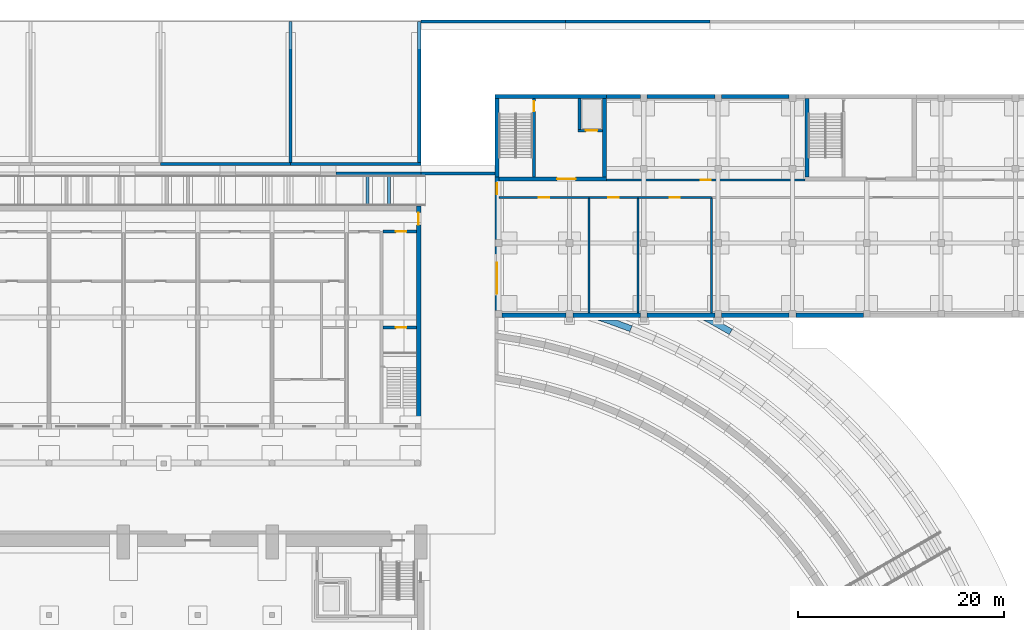
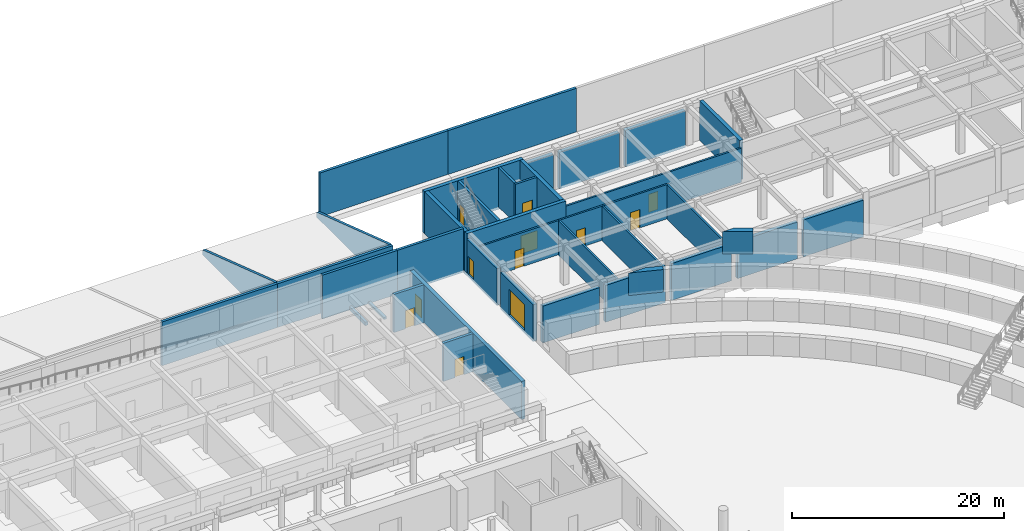
# One storey, part 57 of 73: 40 walls, 12 doors, 12 openings.
"""IFC4 building model written with IfcOpenShell, lengths in metres."""

from ifc_helpers import new_model, si_unit, direction, frame, frame_2d, origin, place, context, subcontext, project, spatial, polyline, rectangle, outline, extrude, material, layer, layer_set, type_object, element, fill, save


model = new_model("IFC4")

# Units and contexts
model_context = context("Model", 3, precision=1e-05, world=origin(), true_north=direction((0.0, 1.0)))
body_context = subcontext(model_context, "Body", "Model", "MODEL_VIEW")
ifc_project = project(units=[si_unit("LENGTHUNIT", "METRE"), si_unit("AREAUNIT", "SQUARE_METRE"), si_unit("VOLUMEUNIT", "CUBIC_METRE"), si_unit("PLANEANGLEUNIT", "RADIAN"), si_unit("MASSUNIT", "GRAM", prefix="KILO")], contexts=[model_context])

# Site, building, storey
site_placement = place(None, origin())
site = spatial("IfcSite", under=ifc_project, at=site_placement, CompositionType="ELEMENT")
building_placement = place(site_placement, origin())
building = spatial("IfcBuilding", under=site, at=building_placement, Name="Alderwick Market Hall", CompositionType="ELEMENT")
storey_placement = place(building_placement, origin())
storey = spatial("IfcBuildingStorey", under=building, at=storey_placement, Name="LG", CompositionType="ELEMENT", Elevation=0.0)

# Wall, opening, door
ifc_material_1 = material(Name="Concrete 5000 psi (f'c 35 MPa)", Category="concrete")
ifc_layer_1 = layer(ifc_material_1, 0.39990234375)
ifc_layer_set_1 = layer_set([ifc_layer_1], Name="Concrete 5000 psi (f'c 35 MPa)")
wall_type_1 = type_object("IfcWallType", Name="A RC End Wall 400", PredefinedType="SHEAR", material=ifc_layer_set_1)
wall_1_placement = place(storey_placement, frame((151.0, 119.300048828125, 0.0), z_axis=(0.0, 0.0, 1.0), x_axis=(0.0, 1.0, 0.0)))
wall_1 = element("IfcWall", 1, at=wall_1_placement, inside=storey, type_object=wall_type_1, Name="A.N.wall.053", PredefinedType="SHEAR", context=body_context, shape_type="SweptSolid", body=[
    extrude(rectangle(XDim=21.099853515625, YDim=0.39990234375, at=frame_2d((10.5498046875, 0.0))), origin(), (0.0, 0.0, 1.0), 4.39990234375),
])
opening_1_placement = place(wall_1_placement, frame((19.25, 0.0, 0.0)))
opening_1 = element("IfcOpeningElement", 2, at=opening_1_placement, cuts=wall_1, Name="Opening A-D015", PredefinedType="OPENING", context=body_context, shape_type="SweptSolid", body=[
    extrude(rectangle(XDim=1.199951171875, YDim=2.10009765625, at=frame_2d((0.60009765625, 1.050048828125))), frame((0.0, 0.2099609375, 0.0), z_axis=(0.0, -1.0, 0.0), x_axis=(1.0, 0.0, 0.0)), (0.0, 0.0, 1.0), 0.419921875),
])
ifc_material_2 = material(Name="Hollow metal door and frame")
door_type_1 = type_object("IfcDoorType", Name="A Door 1200x2100", OperationType="SINGLE_SWING_LEFT", PredefinedType="DOOR", material=ifc_material_2)
door_1_placement = place(opening_1_placement, origin())
door_1 = element("IfcDoor", 3, at=door_1_placement, inside=storey, type_object=door_type_1, Name="Service corridor exit door", OperationType="SINGLE_SWING_LEFT", OverallHeight=2.10009765625, OverallWidth=1.199951171875, PredefinedType="DOOR", context=body_context, shape_type="SweptSolid", body=[
    extrude(rectangle(XDim=1.199951171875, YDim=2.10009765625, at=frame_2d((0.60009765625, 1.050048828125))), frame((0.0, 0.02490234375, 0.0), z_axis=(0.0, -1.0, 0.0), x_axis=(1.0, 0.0, 0.0)), (0.0, 0.0, 1.0), 0.050048828125),
])
fill(opening_1, door_1)

ifc_layer_2 = layer(ifc_material_1, 0.300048828125)
ifc_layer_set_2 = layer_set([ifc_layer_2], Name="Concrete 5000 psi (f'c 35 MPa)")
wall_type_2 = type_object("IfcWallType", Name="A RC Stair Core Wall 300", PredefinedType="SHEAR", material=ifc_layer_set_2)
wall_2_placement = place(storey_placement, frame((147.550048828125, 128.60009765625, 0.0), z_axis=(0.0, 0.0, 1.0), x_axis=(1.0, 0.0, 0.0)))
wall_2 = element("IfcWall", 4, at=wall_2_placement, inside=storey, type_object=wall_type_2, Name="A.N.wall.017", PredefinedType="SHEAR", context=body_context, shape_type="SweptSolid", body=[
    extrude(rectangle(XDim=3.25, YDim=0.300048828125, at=frame_2d((1.625, 0.0))), origin(), (0.0, 0.0, 1.0), 4.39990234375),
])
opening_2_placement = place(wall_2_placement, frame((1.25, 0.0, 0.0)))
opening_2 = element("IfcOpeningElement", 5, at=opening_2_placement, cuts=wall_2, Name="Opening A-D058", PredefinedType="OPENING", context=body_context, shape_type="SweptSolid", body=[
    extrude(rectangle(XDim=1.0, YDim=2.10009765625, at=frame_2d((0.5, 1.050048828125))), frame((0.0, 0.159912109375, 0.0), z_axis=(0.0, -1.0, 0.0), x_axis=(1.0, 0.0, 0.0)), (0.0, 0.0, 1.0), 0.320068359375),
])
ifc_material_3 = material(Name="Hollow metal fire door and frame")
door_type_2 = type_object("IfcDoorType", Name="A Fire Door 1000x2100", OperationType="SINGLE_SWING_LEFT", PredefinedType="DOOR", material=ifc_material_3)
door_2_placement = place(opening_2_placement, origin())
door_2 = element("IfcDoor", 6, at=door_2_placement, inside=storey, type_object=door_type_2, Name="Roof stair lobby door", OperationType="SINGLE_SWING_RIGHT", OverallHeight=2.10009765625, OverallWidth=1.0, PredefinedType="DOOR", context=body_context, shape_type="SweptSolid", body=[
    extrude(rectangle(XDim=1.0, YDim=2.10009765625, at=frame_2d((0.5, 1.050048828125))), frame((0.0, 0.02490234375, 0.0), z_axis=(0.0, -1.0, 0.0), x_axis=(1.0, 0.0, 0.0)), (0.0, 0.0, 1.0), 0.050048828125),
])
fill(opening_2, door_2)

wall_3_placement = place(storey_placement, frame((147.550048828125, 137.89990234375, 0.0), z_axis=(0.0, 0.0, 1.0), x_axis=(1.0, 0.0, 0.0)))
wall_3 = element("IfcWall", 7, at=wall_3_placement, inside=storey, type_object=wall_type_2, Name="A.N.wall.021", PredefinedType="SHEAR", context=body_context, shape_type="SweptSolid", body=[
    extrude(rectangle(XDim=3.25, YDim=0.300048828125, at=frame_2d((1.625, 0.0))), origin(), (0.0, 0.0, 1.0), 4.39990234375),
])
opening_3_placement = place(wall_3_placement, frame((1.25, 0.0, 0.0)))
opening_3 = element("IfcOpeningElement", 8, at=opening_3_placement, cuts=wall_3, Name="Opening A-D059", PredefinedType="OPENING", context=body_context, shape_type="SweptSolid", body=[
    extrude(rectangle(XDim=1.0, YDim=2.10009765625, at=frame_2d((0.5, 1.050048828125))), frame((0.0, 0.159912109375, 0.0), z_axis=(0.0, -1.0, 0.0), x_axis=(1.0, 0.0, 0.0)), (0.0, 0.0, 1.0), 0.320068359375),
])
door_3_placement = place(opening_3_placement, origin())
door_3 = element("IfcDoor", 9, at=door_3_placement, inside=storey, type_object=door_type_2, Name="Stair lobby corridor door", OperationType="SINGLE_SWING_LEFT", OverallHeight=2.10009765625, OverallWidth=1.0, PredefinedType="DOOR", context=body_context, shape_type="SweptSolid", body=[
    extrude(rectangle(XDim=1.0, YDim=2.10009765625, at=frame_2d((0.5, 1.050048828125))), frame((0.0, 0.02490234375, 0.0), z_axis=(0.0, -1.0, 0.0), x_axis=(1.0, 0.0, 0.0)), (0.0, 0.0, 1.0), 0.050048828125),
])
fill(opening_3, door_3)

# Walls
ifc_layer_3 = layer(ifc_material_1, 0.39990234375)
ifc_layer_set_3 = layer_set([ifc_layer_3], Name="Concrete 5000 psi (f'c 35 MPa)")
wall_type_3 = type_object("IfcWallType", Name="F Base Wall Concrete 5000 psi 400", PredefinedType="SHEAR", material=ifc_layer_set_3)
wall_4_placement = place(storey_placement, frame((165.27490234375, 129.800048828125, -0.300048828125), z_axis=(0.0, 0.0, 1.0), x_axis=(-1.0, 0.0, 0.0)))
element("IfcWall", 10, at=wall_4_placement, inside=storey, type_object=wall_type_3, Name="F.wall.LG.fac.front.01", PredefinedType="SHEAR", context=body_context, shape_type="SweptSolid", body=[
    extrude(rectangle(XDim=6.199951171875, YDim=0.39990234375, at=frame_2d((3.10009765625, 0.0))), origin(), (0.0, 0.0, 1.0), 4.25),
])
for number, where, z_axis, x_axis, name in (
    (11, (172.47509765625, 129.800048828125, -0.300048828125), (0.0, 0.0, 1.0), (-1.0, 0.0, 0.0), "F.wall.LG.fac.front.02"),
    (12, (179.675048828125, 129.800048828125, -0.300048828125), (0.0, 0.0, 1.0), (-1.0, 0.0, 0.0), "F.wall.LG.fac.front.03"),
    (13, (186.875, 129.800048828125, -0.300048828125), (0.0, 0.0, 1.0), (-1.0, 0.0, 0.0), "F.wall.LG.fac.front.04"),
    (14, (194.074951171875, 129.800048828125, -0.300048828125), (0.0, 0.0, 1.0), (-1.0, 0.0, 0.0), "F.wall.LG.fac.front.05"),
):
    element("IfcWall", number, at=place(storey_placement, frame(where, z_axis=z_axis, x_axis=x_axis)), inside=storey, type_object=wall_type_3, Name=name, PredefinedType="SHEAR", context=body_context, shape_type="SweptSolid", body=[
        extrude(rectangle(XDim=6.550048828125, YDim=0.39990234375, at=frame_2d((3.27490234375, 0.0))), origin(), (0.0, 0.0, 1.0), 4.25),
    ])

# Wall, opening, door
wall_5_placement = place(storey_placement, frame((158.60009765625, 130.27490234375, -0.300048828125), z_axis=(0.0, 0.0, 1.0), x_axis=(0.0, 1.0, 0.0)))
wall_5 = element("IfcWall", 15, at=wall_5_placement, inside=storey, type_object=wall_type_3, Name="F.wall.LG.fac.west.01", PredefinedType="SHEAR", context=body_context, shape_type="SweptSolid", body=[
    extrude(rectangle(XDim=6.2001953125, YDim=0.39990234375, at=frame_2d((3.10009765625, 0.0))), origin(), (0.0, 0.0, 1.0), 4.25),
])
opening_4_placement = place(wall_5_placement, frame((1.60009765625, 0.0, 0.300048828125)))
opening_4 = element("IfcOpeningElement", 16, at=opening_4_placement, cuts=wall_5, Name="Opening F-D001", PredefinedType="OPENING", context=body_context, shape_type="SweptSolid", body=[
    extrude(rectangle(XDim=3.0, YDim=3.0, at=frame_2d((1.5, 1.5))), frame((0.0, 0.2099609375, 0.0), z_axis=(0.0, -1.0, 0.0), x_axis=(1.0, 0.0, 0.0)), (0.0, 0.0, 1.0), 0.419921875),
])
ifc_material_4 = material(Name="Galvanised steel", Category="steel")
door_type_3 = type_object("IfcDoorType", Name="F Overhead Door 3000x3000", OperationType="ROLLINGUP", PredefinedType="DOOR", material=ifc_material_4)
door_4_placement = place(opening_4_placement, origin())
door_4 = element("IfcDoor", 17, at=door_4_placement, inside=storey, type_object=door_type_3, Name="F.door.LG.001", OperationType="ROLLINGUP", OverallHeight=3.0, OverallWidth=3.0, PredefinedType="DOOR", context=body_context, shape_type="SweptSolid", body=[
    extrude(rectangle(XDim=3.0, YDim=3.0, at=frame_2d((1.5, 1.5))), frame((0.0, 0.02490234375, 0.0), z_axis=(0.0, -1.0, 0.0), x_axis=(1.0, 0.0, 0.0)), (0.0, 0.0, 1.0), 0.050048828125),
])
fill(opening_4, door_4)

wall_6_placement = place(storey_placement, frame((158.60009765625, 137.125, -0.300048828125), z_axis=(0.0, 0.0, 1.0), x_axis=(0.0, 1.0, 0.0)))
wall_6 = element("IfcWall", 18, at=wall_6_placement, inside=storey, type_object=wall_type_3, Name="F.wall.LG.fac.west.02", PredefinedType="SHEAR", context=body_context, shape_type="SweptSolid", body=[
    extrude(rectangle(XDim=6.074951171875, YDim=0.39990234375, at=frame_2d((3.03759765625, 0.0))), origin(), (0.0, 0.0, 1.0), 4.25),
])
opening_5_placement = place(wall_6_placement, frame((4.375, 0.0, 0.300048828125)))
opening_5 = element("IfcOpeningElement", 19, at=opening_5_placement, cuts=wall_6, Name="Opening F-D002", PredefinedType="OPENING", context=body_context, shape_type="SweptSolid", body=[
    extrude(rectangle(XDim=1.10009765625, YDim=2.10009765625, at=frame_2d((0.550048828125, 1.050048828125))), frame((0.0, 0.2099609375, 0.0), z_axis=(0.0, -1.0, 0.0), x_axis=(1.0, 0.0, 0.0)), (0.0, 0.0, 1.0), 0.419921875),
])
ifc_material_5 = material(Name="Steel, insulated", Category="steel")
door_type_4 = type_object("IfcDoorType", Name="F Exit Door FD60 1100x2100", OperationType="NOTDEFINED", PredefinedType="DOOR", material=ifc_material_5)
door_5_placement = place(opening_5_placement, origin())
door_5 = element("IfcDoor", 20, at=door_5_placement, inside=storey, type_object=door_type_4, Name="F.door.LG.002", OperationType="NOTDEFINED", OverallHeight=2.10009765625, OverallWidth=1.10009765625, PredefinedType="DOOR", context=body_context, shape_type="SweptSolid", body=[
    extrude(rectangle(XDim=1.10009765625, YDim=2.10009765625, at=frame_2d((0.550048828125, 1.050048828125))), frame((0.0, 0.02490234375, 0.0), z_axis=(0.0, -1.0, 0.0), x_axis=(1.0, 0.0, 0.0)), (0.0, 0.0, 1.0), 0.050048828125),
])
fill(opening_5, door_5)

# Walls
wall_7_placement = place(storey_placement, frame((169.199951171875, 151.0, -0.300048828125), z_axis=(0.0, 0.0, 1.0), x_axis=(1.0, 0.0, 0.0)))
element("IfcWall", 21, at=wall_7_placement, inside=storey, type_object=wall_type_3, Name="F.wall.LG.fac.back.02", PredefinedType="SHEAR", context=body_context, shape_type="SweptSolid", body=[
    extrude(rectangle(XDim=3.275146484375, YDim=0.39990234375, at=frame_2d((1.6376953125, 0.0))), origin(), (0.0, 0.0, 1.0), 4.25),
])
for number, where, z_axis, x_axis, name in (
    (22, (173.125, 151.0, -0.300048828125), (0.0, 0.0, 1.0), (1.0, 0.0, 0.0), "F.wall.LG.fac.back.03"),
    (23, (180.324951171875, 151.0, -0.300048828125), (0.0, 0.0, 1.0), (1.0, 0.0, 0.0), "F.wall.LG.fac.back.04"),
):
    element("IfcWall", number, at=place(storey_placement, frame(where, z_axis=z_axis, x_axis=x_axis)), inside=storey, type_object=wall_type_3, Name=name, PredefinedType="SHEAR", context=body_context, shape_type="SweptSolid", body=[
        extrude(rectangle(XDim=6.550048828125, YDim=0.39990234375, at=frame_2d((3.27490234375, 0.0))), origin(), (0.0, 0.0, 1.0), 4.25),
    ])
ifc_layer_4 = layer(ifc_material_1, 0.39990234375)
ifc_layer_set_4 = layer_set([ifc_layer_4], Name="Concrete 5000 psi (f'c 35 MPa)")
wall_type_4 = type_object("IfcWallType", Name="F Core Wall Concrete 5000 psi 400", PredefinedType="SHEAR", material=ifc_layer_set_4)
wall_8_placement = place(storey_placement, frame((158.60009765625, 143.199951171875, -0.300048828125), z_axis=(0.0, 0.0, 1.0), x_axis=(0.0, 1.0, 0.0)))
element("IfcWall", 24, at=wall_8_placement, inside=storey, type_object=wall_type_4, Name="F.wall.LG.fac.west.03", PredefinedType="SHEAR", context=body_context, shape_type="SweptSolid", body=[
    extrude(rectangle(XDim=7.60009765625, YDim=0.39990234375, at=frame_2d((3.800048828125, 0.0))), origin(), (0.0, 0.0, 1.0), 4.85009765625),
])
wall_9_placement = place(storey_placement, frame((158.39990234375, 151.0, -0.300048828125), z_axis=(0.0, 0.0, 1.0), x_axis=(1.0, 0.0, 0.0)))
element("IfcWall", 25, at=wall_9_placement, inside=storey, type_object=wall_type_4, Name="F.wall.LG.fac.back.01", PredefinedType="SHEAR", context=body_context, shape_type="SweptSolid", body=[
    extrude(rectangle(XDim=10.800048828125, YDim=0.39990234375, at=frame_2d((5.39990234375, 0.0))), origin(), (0.0, 0.0, 1.0), 4.85009765625),
])

# Wall, opening, door
wall_10_placement = place(storey_placement, frame((158.39990234375, 143.0, 0.0), z_axis=(0.0, 0.0, 1.0), x_axis=(1.0, 0.0, 0.0)))
wall_10 = element("IfcWall", 26, at=wall_10_placement, inside=storey, type_object=wall_type_4, Name="F.wall.LG.core.A.front.01", PredefinedType="SHEAR", context=body_context, shape_type="SweptSolid", body=[
    extrude(rectangle(XDim=10.800048828125, YDim=0.39990234375, at=frame_2d((5.39990234375, 0.0))), origin(), (0.0, 0.0, 1.0), 4.550048828125),
])
opening_6_placement = place(wall_10_placement, frame((6.0, 0.0, 0.0)))
opening_6 = element("IfcOpeningElement", 27, at=opening_6_placement, cuts=wall_10, Name="Opening F-D017", PredefinedType="OPENING", context=body_context, shape_type="SweptSolid", body=[
    extrude(rectangle(XDim=1.800048828125, YDim=2.10009765625, at=frame_2d((0.89990234375, 1.050048828125))), frame((0.0, 0.2099609375, 0.0), z_axis=(0.0, -1.0, 0.0), x_axis=(1.0, 0.0, 0.0)), (0.0, 0.0, 1.0), 0.419921875),
])
door_type_5 = type_object("IfcDoorType", Name="F Fire Door Pair FD90 1800x2100", OperationType="NOTDEFINED", PredefinedType="DOOR", material=ifc_material_5)
door_6_placement = place(opening_6_placement, origin())
door_6 = element("IfcDoor", 28, at=door_6_placement, inside=storey, type_object=door_type_5, Name="F.door.LG.017", OperationType="NOTDEFINED", OverallHeight=2.10009765625, OverallWidth=1.800048828125, PredefinedType="DOOR", context=body_context, shape_type="SweptSolid", body=[
    extrude(rectangle(XDim=1.800048828125, YDim=2.10009765625, at=frame_2d((0.89990234375, 1.050048828125))), frame((0.0, 0.02490234375, 0.0), z_axis=(0.0, -1.0, 0.0), x_axis=(1.0, 0.0, 0.0)), (0.0, 0.0, 1.0), 0.050048828125),
])
fill(opening_6, door_6)

# Walls
for number, where, z_axis, x_axis, name in (
    (29, (169.0, 143.199951171875, 0.0), (0.0, 0.0, 1.0), (0.0, 1.0, 0.0), "F.wall.LG.core.A.east.01"),
    (30, (188.60009765625, 143.199951171875, 0.0), (0.0, 0.0, 1.0), (0.0, 1.0, 0.0), "F.wall.LG.core.B.west.01"),
):
    element("IfcWall", number, at=place(storey_placement, frame(where, z_axis=z_axis, x_axis=x_axis)), inside=storey, type_object=wall_type_4, Name=name, PredefinedType="SHEAR", context=body_context, shape_type="SweptSolid", body=[
        extrude(rectangle(XDim=7.60009765625, YDim=0.39990234375, at=frame_2d((3.800048828125, 0.0))), origin(), (0.0, 0.0, 1.0), 4.550048828125),
    ])

# Wall, opening, door
ifc_material_6 = material(Name="Gypsum board on steel studs", Category="steel")
ifc_layer_5 = layer(ifc_material_6, 0.199951171875)
ifc_layer_set_5 = layer_set([ifc_layer_5], Name="Gypsum board on steel studs")
wall_type_5 = type_object("IfcWallType", Name="F Fire Partition Wall 200", PredefinedType="PARTITIONING", material=ifc_layer_set_5)
wall_11_placement = place(storey_placement, frame((167.5, 141.199951171875, 0.0), z_axis=(0.0, 0.0, 1.0), x_axis=(1.0, 0.0, 0.0)))
wall_11 = element("IfcWall", 31, at=wall_11_placement, inside=storey, type_object=wall_type_5, Name="F.wall.LG.part.002", PredefinedType="PARTITIONING", context=body_context, shape_type="SweptSolid", body=[
    extrude(rectangle(XDim=4.75, YDim=0.199951171875, at=frame_2d((2.375, 0.0))), origin(), (0.0, 0.0, 1.0), 3.949951171875),
])
opening_7_placement = place(wall_11_placement, frame((1.875, 0.0, 0.0)))
opening_7 = element("IfcOpeningElement", 32, at=opening_7_placement, cuts=wall_11, Name="Opening F-D025", PredefinedType="OPENING", context=body_context, shape_type="SweptSolid", body=[
    extrude(rectangle(XDim=1.0, YDim=2.10009765625, at=frame_2d((0.5, 1.050048828125))), frame((0.0, 0.10986328125, 0.0), z_axis=(0.0, -1.0, 0.0), x_axis=(1.0, 0.0, 0.0)), (0.0, 0.0, 1.0), 0.219970703125),
])
door_type_6 = type_object("IfcDoorType", Name="F Fire Door FD60 1000x2100", OperationType="NOTDEFINED", PredefinedType="DOOR", material=ifc_material_5)
door_7_placement = place(opening_7_placement, origin())
door_7 = element("IfcDoor", 33, at=door_7_placement, inside=storey, type_object=door_type_6, Name="F.door.LG.025", OperationType="NOTDEFINED", OverallHeight=2.10009765625, OverallWidth=1.0, PredefinedType="DOOR", context=body_context, shape_type="SweptSolid", body=[
    extrude(rectangle(XDim=1.0, YDim=2.10009765625, at=frame_2d((0.5, 1.050048828125))), frame((0.0, 0.02490234375, 0.0), z_axis=(0.0, -1.0, 0.0), x_axis=(1.0, 0.0, 0.0)), (0.0, 0.0, 1.0), 0.050048828125),
])
fill(opening_7, door_7)

wall_12_placement = place(storey_placement, frame((172.25, 141.199951171875, 0.0), z_axis=(0.0, 0.0, 1.0), x_axis=(1.0, 0.0, 0.0)))
wall_12 = element("IfcWall", 34, at=wall_12_placement, inside=storey, type_object=wall_type_5, Name="F.wall.LG.part.003", PredefinedType="PARTITIONING", context=body_context, shape_type="SweptSolid", body=[
    extrude(rectangle(XDim=7.10009765625, YDim=0.199951171875, at=frame_2d((3.550048828125, 0.0))), origin(), (0.0, 0.0, 1.0), 3.949951171875),
])
opening_8_placement = place(wall_12_placement, frame((3.050048828125, 0.0, 0.0)))
opening_8 = element("IfcOpeningElement", 35, at=opening_8_placement, cuts=wall_12, Name="Opening F-D026", PredefinedType="OPENING", context=body_context, shape_type="SweptSolid", body=[
    extrude(rectangle(XDim=1.0, YDim=2.10009765625, at=frame_2d((0.5, 1.050048828125))), frame((0.0, 0.10986328125, 0.0), z_axis=(0.0, -1.0, 0.0), x_axis=(1.0, 0.0, 0.0)), (0.0, 0.0, 1.0), 0.219970703125),
])
door_8_placement = place(opening_8_placement, origin())
door_8 = element("IfcDoor", 36, at=door_8_placement, inside=storey, type_object=door_type_6, Name="F.door.LG.026", OperationType="NOTDEFINED", OverallHeight=2.10009765625, OverallWidth=1.0, PredefinedType="DOOR", context=body_context, shape_type="SweptSolid", body=[
    extrude(rectangle(XDim=1.0, YDim=2.10009765625, at=frame_2d((0.5, 1.050048828125))), frame((0.0, 0.02490234375, 0.0), z_axis=(0.0, -1.0, 0.0), x_axis=(1.0, 0.0, 0.0)), (0.0, 0.0, 1.0), 0.050048828125),
])
fill(opening_8, door_8)

wall_13_placement = place(storey_placement, frame((169.199951171875, 142.89990234375, 0.0), z_axis=(0.0, 0.0, 1.0), x_axis=(1.0, 0.0, 0.0)))
wall_13 = element("IfcWall", 37, at=wall_13_placement, inside=storey, type_object=wall_type_5, Name="F.wall.LG.part.006", PredefinedType="PARTITIONING", context=body_context, shape_type="SweptSolid", body=[
    extrude(rectangle(XDim=19.199951171875, YDim=0.199951171875, at=frame_2d((9.60009765625, 0.0))), origin(), (0.0, 0.0, 1.0), 3.949951171875),
])
opening_9_placement = place(wall_13_placement, frame((9.10009765625, 0.0, 0.0)))
opening_9 = element("IfcOpeningElement", 38, at=opening_9_placement, cuts=wall_13, Name="Opening F-D029", PredefinedType="OPENING", context=body_context, shape_type="SweptSolid", body=[
    extrude(rectangle(XDim=1.0, YDim=2.10009765625, at=frame_2d((0.5, 1.050048828125))), frame((0.0, 0.10986328125, 0.0), z_axis=(0.0, -1.0, 0.0), x_axis=(1.0, 0.0, 0.0)), (0.0, 0.0, 1.0), 0.219970703125),
])
door_9_placement = place(opening_9_placement, origin())
door_9 = element("IfcDoor", 39, at=door_9_placement, inside=storey, type_object=door_type_6, Name="F.door.LG.029", OperationType="NOTDEFINED", OverallHeight=2.10009765625, OverallWidth=1.0, PredefinedType="DOOR", context=body_context, shape_type="SweptSolid", body=[
    extrude(rectangle(XDim=1.0, YDim=2.10009765625, at=frame_2d((0.5, 1.050048828125))), frame((0.0, 0.02490234375, 0.0), z_axis=(0.0, -1.0, 0.0), x_axis=(1.0, 0.0, 0.0)), (0.0, 0.0, 1.0), 0.050048828125),
])
fill(opening_9, door_9)

# Walls
for number, where, z_axis, x_axis, name in (
    (40, (167.5, 130.0, 0.0), (0.0, 0.0, 1.0), (0.0, 1.0, 0.0), "F.wall.LG.part.010"),
    (41, (172.25, 130.0, 0.0), (0.0, 0.0, 1.0), (0.0, 1.0, 0.0), "F.wall.LG.part.011"),
    (42, (179.35009765625, 130.0, 0.0), (0.0, 0.0, 1.0), (0.0, 1.0, 0.0), "F.wall.LG.part.012"),
):
    element("IfcWall", number, at=place(storey_placement, frame(where, z_axis=z_axis, x_axis=x_axis)), inside=storey, type_object=wall_type_5, Name=name, PredefinedType="PARTITIONING", context=body_context, shape_type="SweptSolid", body=[
        extrude(rectangle(XDim=11.199951171875, YDim=0.199951171875, at=frame_2d((5.60009765625, 0.0))), origin(), (0.0, 0.0, 1.0), 3.949951171875),
    ])
ifc_layer_6 = layer(ifc_material_1, 0.25)
ifc_layer_set_6 = layer_set([ifc_layer_6], Name="Concrete 5000 psi (f'c 35 MPa)")
wall_type_6 = type_object("IfcWallType", Name="F Lift Shaft Wall Concrete 5000 psi 250", PredefinedType="SHEAR", material=ifc_layer_set_6)
wall_14_placement = place(storey_placement, frame((166.574951171875, 147.550048828125, 0.0), z_axis=(0.0, 0.0, 1.0), x_axis=(0.0, 1.0, 0.0)))
element("IfcWall", 43, at=wall_14_placement, inside=storey, type_object=wall_type_6, Name="F.wall.LG.core.A.shaftw.01", PredefinedType="SHEAR", context=body_context, shape_type="SweptSolid", body=[
    extrude(rectangle(XDim=3.25, YDim=0.25, at=frame_2d((1.625, 0.0))), origin(), (0.0, 0.0, 1.0), 4.550048828125),
])

# Wall, opening, door
wall_15_placement = place(storey_placement, frame((166.449951171875, 147.675048828125, 0.0), z_axis=(0.0, 0.0, 1.0), x_axis=(1.0, 0.0, 0.0)))
wall_15 = element("IfcWall", 44, at=wall_15_placement, inside=storey, type_object=wall_type_6, Name="F.wall.LG.core.A.shaftf.01", PredefinedType="SHEAR", context=body_context, shape_type="SweptSolid", body=[
    extrude(rectangle(XDim=2.35009765625, YDim=0.25, at=frame_2d((1.175048828125, 0.0))), origin(), (0.0, 0.0, 1.0), 4.550048828125),
])
opening_10_placement = place(wall_15_placement, frame((0.75, 0.0, 0.0)))
opening_10 = element("IfcOpeningElement", 45, at=opening_10_placement, cuts=wall_15, Name="Opening F-D018", PredefinedType="OPENING", context=body_context, shape_type="SweptSolid", body=[
    extrude(rectangle(XDim=1.10009765625, YDim=2.10009765625, at=frame_2d((0.550048828125, 1.050048828125))), frame((0.0, 0.135009765625, 0.0), z_axis=(0.0, -1.0, 0.0), x_axis=(1.0, 0.0, 0.0)), (0.0, 0.0, 1.0), 0.27001953125),
])
ifc_material_7 = material(Name="Stainless steel", Category="steel")
door_type_7 = type_object("IfcDoorType", Name="F Lift Landing Door 1100x2100", OperationType="SLIDING_TO_LEFT", PredefinedType="DOOR", material=ifc_material_7)
door_10_placement = place(opening_10_placement, origin())
door_10 = element("IfcDoor", 46, at=door_10_placement, inside=storey, type_object=door_type_7, Name="F.door.LG.018", OperationType="SLIDING_TO_LEFT", OverallHeight=2.10009765625, OverallWidth=1.10009765625, PredefinedType="DOOR", context=body_context, shape_type="SweptSolid", body=[
    extrude(rectangle(XDim=1.10009765625, YDim=2.10009765625, at=frame_2d((0.550048828125, 1.050048828125))), frame((0.0, 0.02490234375, 0.0), z_axis=(0.0, -1.0, 0.0), x_axis=(1.0, 0.0, 0.0)), (0.0, 0.0, 1.0), 0.050048828125),
])
fill(opening_10, door_10)

ifc_layer_7 = layer(ifc_material_6, 0.199951171875)
ifc_layer_set_7 = layer_set([ifc_layer_7], Name="Gypsum board on steel studs")
wall_type_7 = type_object("IfcWallType", Name="F Partition Wall 200", PredefinedType="PARTITIONING", material=ifc_layer_set_7)
wall_16_placement = place(storey_placement, frame((158.800048828125, 141.199951171875, 0.0), z_axis=(0.0, 0.0, 1.0), x_axis=(1.0, 0.0, 0.0)))
wall_16 = element("IfcWall", 47, at=wall_16_placement, inside=storey, type_object=wall_type_7, Name="F.wall.LG.part.001", PredefinedType="PARTITIONING", context=body_context, shape_type="SweptSolid", body=[
    extrude(rectangle(XDim=8.699951171875, YDim=0.199951171875, at=frame_2d((4.35009765625, 0.0))), origin(), (0.0, 0.0, 1.0), 3.949951171875),
])
opening_11_placement = place(wall_16_placement, frame((3.85009765625, 0.0, 0.0)))
opening_11 = element("IfcOpeningElement", 48, at=opening_11_placement, cuts=wall_16, Name="Opening F-D024", PredefinedType="OPENING", context=body_context, shape_type="SweptSolid", body=[
    extrude(rectangle(XDim=1.0, YDim=2.10009765625, at=frame_2d((0.5, 1.050048828125))), frame((0.0, 0.10986328125, 0.0), z_axis=(0.0, -1.0, 0.0), x_axis=(1.0, 0.0, 0.0)), (0.0, 0.0, 1.0), 0.219970703125),
])
door_11_placement = place(opening_11_placement, origin())
door_11 = element("IfcDoor", 49, at=door_11_placement, inside=storey, type_object=door_type_6, Name="F.door.LG.024", OperationType="NOTDEFINED", OverallHeight=2.10009765625, OverallWidth=1.0, PredefinedType="DOOR", context=body_context, shape_type="SweptSolid", body=[
    extrude(rectangle(XDim=1.0, YDim=2.10009765625, at=frame_2d((0.5, 1.050048828125))), frame((0.0, 0.02490234375, 0.0), z_axis=(0.0, -1.0, 0.0), x_axis=(1.0, 0.0, 0.0)), (0.0, 0.0, 1.0), 0.050048828125),
])
fill(opening_11, door_11)

ifc_layer_8 = layer(ifc_material_1, 0.300048828125)
ifc_layer_set_8 = layer_set([ifc_layer_8], Name="Concrete 5000 psi (f'c 35 MPa)")
wall_type_8 = type_object("IfcWallType", Name="F Stair Divider Wall Concrete 5000 psi 300", PredefinedType="SHEAR", material=ifc_layer_set_8)
wall_17_placement = place(storey_placement, frame((162.14990234375, 143.199951171875, 0.0), z_axis=(0.0, 0.0, 1.0), x_axis=(0.0, 1.0, 0.0)))
wall_17 = element("IfcWall", 50, at=wall_17_placement, inside=storey, type_object=wall_type_8, Name="F.wall.LG.core.A.div.01", PredefinedType="SHEAR", context=body_context, shape_type="SweptSolid", body=[
    extrude(rectangle(XDim=7.60009765625, YDim=0.300048828125, at=frame_2d((3.800048828125, 0.0))), origin(), (0.0, 0.0, 1.0), 4.550048828125),
])
opening_12_placement = place(wall_17_placement, frame((6.35009765625, 0.0, 0.0)))
opening_12 = element("IfcOpeningElement", 51, at=opening_12_placement, cuts=wall_17, Name="Opening F-D016", PredefinedType="OPENING", context=body_context, shape_type="SweptSolid", body=[
    extrude(rectangle(XDim=1.0, YDim=2.10009765625, at=frame_2d((0.5, 1.050048828125))), frame((0.0, 0.159912109375, 0.0), z_axis=(0.0, -1.0, 0.0), x_axis=(1.0, 0.0, 0.0)), (0.0, 0.0, 1.0), 0.320068359375),
])
door_type_8 = type_object("IfcDoorType", Name="F Fire Door FD90 1000x2100", OperationType="NOTDEFINED", PredefinedType="DOOR", material=ifc_material_5)
door_12_placement = place(opening_12_placement, origin())
door_12 = element("IfcDoor", 52, at=door_12_placement, inside=storey, type_object=door_type_8, Name="F.door.LG.016", OperationType="NOTDEFINED", OverallHeight=2.10009765625, OverallWidth=1.0, PredefinedType="DOOR", context=body_context, shape_type="SweptSolid", body=[
    extrude(rectangle(XDim=1.0, YDim=2.10009765625, at=frame_2d((0.5, 1.050048828125))), frame((0.0, 0.02490234375, 0.0), z_axis=(0.0, -1.0, 0.0), x_axis=(1.0, 0.0, 0.0)), (0.0, 0.0, 1.0), 0.050048828125),
])
fill(opening_12, door_12)

# Walls
ifc_layer_9 = layer(ifc_material_1, 0.300048828125)
ifc_layer_set_9 = layer_set([ifc_layer_9], Name="Concrete 5000 psi (f'c 35 MPa)")
wall_type_9 = type_object("IfcWallType", Name="S Retaining Wall 300", PredefinedType="SOLIDWALL", material=ifc_layer_set_9)
wall_18_placement = place(storey_placement, frame((158.39990234375, 143.550048828125, -0.25), z_axis=(0.0, 0.0, 1.0), x_axis=(-1.0, 0.0, 0.0)))
element("IfcWall", 53, at=wall_18_placement, inside=storey, type_object=wall_type_9, Name="Trench wall N.01", PredefinedType="SOLIDWALL", context=body_context, shape_type="SweptSolid", body=[
    extrude(rectangle(XDim=7.199951171875, YDim=0.300048828125, at=frame_2d((3.60009765625, 0.0))), origin(), (0.0, 0.0, 1.0), 5.050048828125),
])
wall_19_placement = place(storey_placement, frame((151.199951171875, 143.550048828125, -0.25), z_axis=(0.0, 0.0, 1.0), x_axis=(-1.0, 0.0, 0.0)))
element("IfcWall", 54, at=wall_19_placement, inside=storey, type_object=wall_type_9, Name="Trench wall N.02", PredefinedType="SOLIDWALL", context=body_context, shape_type="SweptSolid", body=[
    extrude(rectangle(XDim=8.22900390625, YDim=0.300048828125, at=frame_2d((4.114501953125, 0.0))), origin(), (0.0, 0.0, 1.0), 5.050048828125),
])
wall_20_placement = place(storey_placement, frame((148.114013671875, 140.39990234375, -0.25), z_axis=(0.0, 0.0, 1.0), x_axis=(0.0, 1.0, 0.0)))
element("IfcWall", 55, at=wall_20_placement, inside=storey, type_object=wall_type_9, Name="Ramp support wall N1b", PredefinedType="SOLIDWALL", context=body_context, shape_type="SweptSolid", body=[
    extrude(rectangle(XDim=3.0, YDim=0.300048828125, at=frame_2d((1.5, 0.0))), origin(), (0.0, 0.0, 1.0), 0.24462890625),
])
wall_21_placement = place(storey_placement, frame((146.056884765625, 140.39990234375, -0.25), z_axis=(0.0, 0.0, 1.0), x_axis=(0.0, 1.0, 0.0)))
element("IfcWall", 56, at=wall_21_placement, inside=storey, type_object=wall_type_9, Name="Ramp support wall N1d", PredefinedType="SOLIDWALL", context=body_context, shape_type="SweptSolid", body=[
    extrude(rectangle(XDim=3.0, YDim=0.300048828125, at=frame_2d((1.5, 0.0))), origin(), (0.0, 0.0, 1.0), 0.416015625),
])
wall_22_placement = place(storey_placement, frame((126.0, 144.449951171875, -0.25), z_axis=(0.0, 0.0, 1.0), x_axis=(1.0, 0.0, 0.0)))
element("IfcWall", 57, at=wall_22_placement, inside=storey, type_object=wall_type_9, Name="Berm crest wall N11", PredefinedType="SOLIDWALL", context=body_context, shape_type="SweptSolid", body=[
    extrude(rectangle(XDim=12.60009765625, YDim=0.300048828125, at=frame_2d((6.300048828125, 0.0))), origin(), (0.0, 0.0, 1.0), 5.050048828125),
])
wall_23_placement = place(storey_placement, frame((138.60009765625, 144.449951171875, -0.25), z_axis=(0.0, 0.0, 1.0), x_axis=(1.0, 0.0, 0.0)))
element("IfcWall", 58, at=wall_23_placement, inside=storey, type_object=wall_type_9, Name="Berm crest wall N12", PredefinedType="SOLIDWALL", context=body_context, shape_type="SweptSolid", body=[
    extrude(rectangle(XDim=12.599853515625, YDim=0.300048828125, at=frame_2d((6.2998046875, 0.0))), origin(), (0.0, 0.0, 1.0), 5.050048828125),
])
for number, where, z_axis, x_axis, name in (
    (59, (138.60009765625, 144.60009765625, -0.25), (0.0, 0.0, 1.0), (0.0, 1.0, 0.0), "Berm cross wall N12"),
    (60, (151.050048828125, 144.60009765625, -0.25), (0.0, 0.0, 1.0), (0.0, 1.0, 0.0), "Berm cross wall N13"),
):
    element("IfcWall", number, at=place(storey_placement, frame(where, z_axis=z_axis, x_axis=x_axis)), inside=storey, type_object=wall_type_9, Name=name, PredefinedType="SOLIDWALL", context=body_context, shape_type="SweptSolid", body=[
        extrude(outline(polyline([(0.0, 0.0), (13.632080078125, 0.0), (13.632080078125, 0.569091796875), (0.189697265625, 5.050048828125), (0.0, 5.050048828125), (0.0, 0.0)])), frame((0.0, 0.14990234375, 0.0), z_axis=(0.0, -1.0, 0.0), x_axis=(1.0, 0.0, 0.0)), (0.0, 0.0, 1.0), 0.300048828125),
    ])
for number, where, z_axis, x_axis, name in (
    (61, (151.199951171875, 158.2490234375, -0.25), (0.0, 0.0, 1.0), (1.0, 0.0, 0.0), "Boundary wall N02a"),
    (62, (165.199951171875, 158.2490234375, -0.25), (0.0, 0.0, 1.0), (1.0, 0.0, 0.0), "Boundary wall N02b"),
):
    element("IfcWall", number, at=place(storey_placement, frame(where, z_axis=z_axis, x_axis=x_axis)), inside=storey, type_object=wall_type_9, Name=name, PredefinedType="SOLIDWALL", context=body_context, shape_type="SweptSolid", body=[
        extrude(rectangle(XDim=14.0, YDim=0.300048828125, at=frame_2d((7.0, 0.0))), origin(), (0.0, 0.0, 1.0), 5.050048828125),
    ])
ifc_layer_10 = layer(ifc_material_1, 0.60009765625)
ifc_layer_set_10 = layer_set([ifc_layer_10], Name="Concrete 5000 psi (f'c 35 MPa)")
wall_type_10 = type_object("IfcWallType", Name="S Terrace Wall 600", PredefinedType="SOLIDWALL", material=ifc_layer_set_10)
wall_24_placement = place(storey_placement, frame((0.0, 0.0, 2.10009765625)))
element("IfcWall", 63, at=wall_24_placement, inside=storey, type_object=wall_type_10, Name="Terrace wall W3.52", PredefinedType="SOLIDWALL", context=body_context, shape_type="SweptSolid", body=[
    extrude(outline(polyline([(171.673095703125, 128.776123046875), (170.1142578125, 129.35009765625), (168.2939453125, 129.35009765625), (169.148681640625, 129.066162109375), (171.452880859375, 128.218017578125), (171.673095703125, 128.776123046875)])), origin(), (0.0, 0.0, 1.0), 2.599853515625),
])
wall_25_placement = place(storey_placement, frame((0.0, 0.0, 3.300048828125)))
element("IfcWall", 64, at=wall_25_placement, inside=storey, type_object=wall_type_10, Name="Terrace wall W4.50", PredefinedType="SOLIDWALL", context=body_context, shape_type="SweptSolid", body=[
    extrude(outline(polyline([(181.38330078125, 128.452392578125), (179.80029296875, 129.35009765625), (178.550537109375, 129.35009765625), (179.04931640625, 129.0859375), (181.07666015625, 127.9365234375), (181.38330078125, 128.452392578125)])), origin(), (0.0, 0.0, 1.0), 2.599853515625),
])

save(model, "model.ifc")
